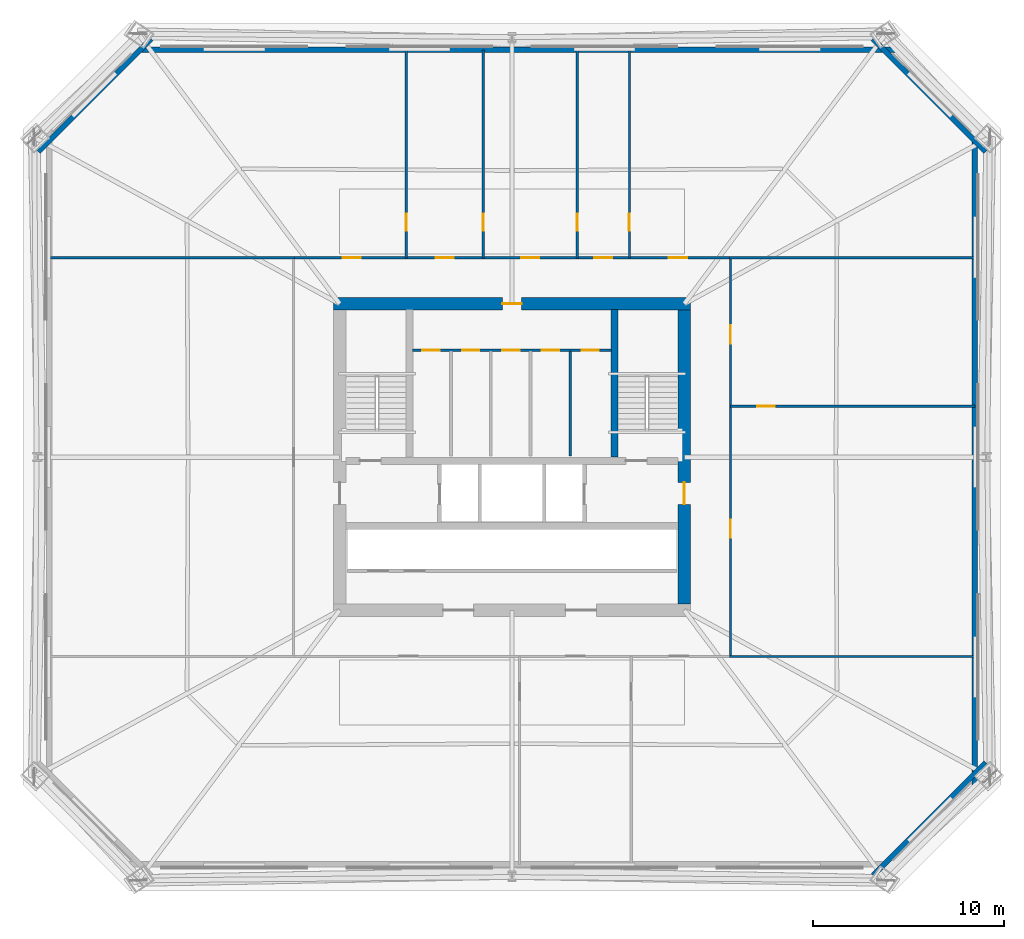
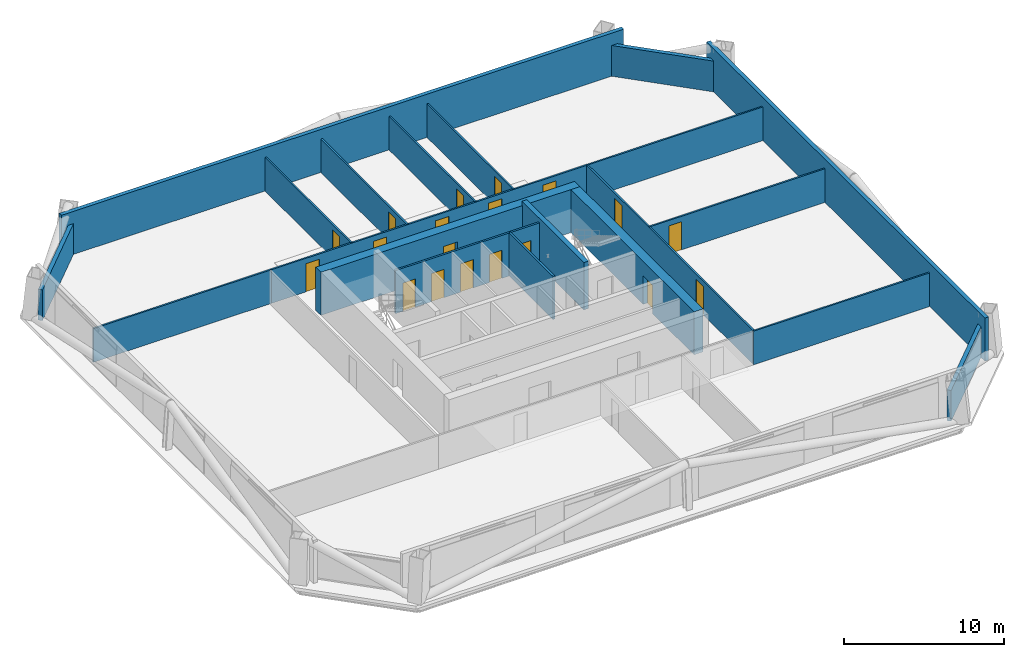
# One storey, part 5 of 9: 20 walls, 19 doors, 19 openings.
"""IFC4 building model written with IfcOpenShell, lengths in metres."""

from ifc_helpers import new_model, si_unit, direction, frame, frame_2d, origin, place, context, subcontext, project, spatial, rectangle, extrude, material, layer, layer_set, type_object, element, fill, save


model = new_model("IFC4")

# Units and contexts
model_context = context("Model", 3, precision=1e-05, world=origin(), true_north=direction((0.0, 1.0)))
body_context = subcontext(model_context, "Body", "Model", "MODEL_VIEW")
ifc_project = project(units=[si_unit("LENGTHUNIT", "METRE"), si_unit("AREAUNIT", "SQUARE_METRE"), si_unit("VOLUMEUNIT", "CUBIC_METRE"), si_unit("PLANEANGLEUNIT", "RADIAN"), si_unit("MASSUNIT", "GRAM", prefix="KILO")], contexts=[model_context])

# Site, building, storey
site_placement = place(None, origin())
site = spatial("IfcSite", under=ifc_project, at=site_placement, CompositionType="ELEMENT")
building_placement = place(site_placement, origin())
building = spatial("IfcBuilding", under=site, at=building_placement, Name="Caelvoria Tower", CompositionType="ELEMENT")
storey_placement = place(building_placement, frame((0.0, 0.0, 82.0)))
storey = spatial("IfcBuildingStorey", under=building, at=storey_placement, Name="L21", CompositionType="ELEMENT", Elevation=82.0)

# Walls
ifc_material_1 = material(Name="Concrete C50/60", Category="concrete")
ifc_layer_1 = layer(ifc_material_1, 0.35009765625, Name="Concrete C50/60")
ifc_layer_set_1 = layer_set([ifc_layer_1], Name="Core Internal Shear Wall 350 - Concrete C50/60")
wall_type_1 = type_object("IfcWallType", Name="Core Internal Shear Wall 350", PredefinedType="SHEAR", material=ifc_layer_set_1)
wall_1_placement = place(storey_placement, frame((51.35009765625, 32.0, 0.0), z_axis=(0.0, 0.0, 1.0), x_axis=(0.0, 1.0, 0.0)))
element("IfcWall", 1, at=wall_1_placement, inside=storey, type_object=wall_type_1, Name="Interior Partition IW-L21-ST2W", PredefinedType="SHEAR", context=body_context, shape_type="SweptSolid", body=[
    extrude(rectangle(XDim=7.699951171875, YDim=0.35009765625, at=frame_2d((3.85009765625, 0.0))), origin(), (0.0, 0.0, 1.0), 3.60009765625),
])
ifc_material_2 = material(Name="Moisture-Resistant Gypsum on Steel Stud", Category="steel")
ifc_layer_2 = layer(ifc_material_2, 0.139892578125, Name="Moisture-Resistant Gypsum on Steel Stud")
ifc_layer_set_2 = layer_set([ifc_layer_2], Name="Core Sanitary Acoustic Partition Wall 140 - Moisture-Resistant Gypsum on Steel Stud")
wall_type_2 = type_object("IfcWallType", Name="Core Sanitary Acoustic Partition Wall 140", PredefinedType="PARTITIONING", material=ifc_layer_set_2)
wall_2_placement = place(storey_placement, frame((49.050048828125, 32.050048828125, 0.0), z_axis=(0.0, 0.0, 1.0), x_axis=(0.0, 1.0, 0.0)))
element("IfcWall", 2, at=wall_2_placement, inside=storey, type_object=wall_type_2, Name="Interior Partition IW-L21-C1V3", PredefinedType="PARTITIONING", context=body_context, shape_type="SweptSolid", body=[
    extrude(rectangle(XDim=5.5, YDim=0.139892578125, at=frame_2d((2.75, 0.0))), origin(), (0.0, 0.0, 1.0), 3.280029296875),
])

# Wall, openings, doors
wall_3_placement = place(storey_placement, frame((40.800048828125, 37.580078125, 0.0), z_axis=(0.0, 0.0, 1.0), x_axis=(1.0, 0.0, 0.0)))
wall_3 = element("IfcWall", 3, at=wall_3_placement, inside=storey, type_object=wall_type_2, Name="Interior Partition IW-L21-C1H", PredefinedType="PARTITIONING", context=body_context, shape_type="SweptSolid", body=[
    extrude(rectangle(XDim=10.39990234375, YDim=0.139892578125, at=frame_2d((5.199951171875, 0.0))), origin(), (0.0, 0.0, 1.0), 3.280029296875),
])
opening_1_placement = place(wall_3_placement, frame((0.52001953125, 0.0, 0.0)))
opening_1 = element("IfcOpeningElement", 4, at=opening_1_placement, cuts=wall_3, Name="Opening ID-06", PredefinedType="OPENING", context=body_context, shape_type="SweptSolid", body=[
    extrude(rectangle(XDim=0.89990234375, YDim=2.14990234375, at=frame_2d((0.449951171875, 1.074951171875))), frame((0.0, 0.079833984375, 0.0), z_axis=(0.0, -1.0, 0.0), x_axis=(1.0, 0.0, 0.0)), (0.0, 0.0, 1.0), 0.159912109375),
])
opening_2_placement = place(wall_3_placement, frame((2.60009765625, 0.0, 0.0)))
opening_2 = element("IfcOpeningElement", 5, at=opening_2_placement, cuts=wall_3, Name="Opening ID-06", PredefinedType="OPENING", context=body_context, shape_type="SweptSolid", body=[
    extrude(rectangle(XDim=0.89990234375, YDim=2.14990234375, at=frame_2d((0.449951171875, 1.074951171875))), frame((0.0, 0.079833984375, 0.0), z_axis=(0.0, -1.0, 0.0), x_axis=(1.0, 0.0, 0.0)), (0.0, 0.0, 1.0), 0.159912109375),
])
opening_3_placement = place(wall_3_placement, frame((4.679931640625, 0.0, 0.0)))
opening_3 = element("IfcOpeningElement", 6, at=opening_3_placement, cuts=wall_3, Name="Opening ID-07", PredefinedType="OPENING", context=body_context, shape_type="SweptSolid", body=[
    extrude(rectangle(XDim=0.919921875, YDim=2.14990234375, at=frame_2d((0.4599609375, 1.074951171875))), frame((0.0, 0.079833984375, 0.0), z_axis=(0.0, -1.0, 0.0), x_axis=(1.0, 0.0, 0.0)), (0.0, 0.0, 1.0), 0.159912109375),
])
opening_4_placement = place(wall_3_placement, frame((6.760009765625, 0.0, 0.0)))
opening_4 = element("IfcOpeningElement", 7, at=opening_4_placement, cuts=wall_3, Name="Opening ID-06", PredefinedType="OPENING", context=body_context, shape_type="SweptSolid", body=[
    extrude(rectangle(XDim=0.89990234375, YDim=2.14990234375, at=frame_2d((0.449951171875, 1.074951171875))), frame((0.0, 0.079833984375, 0.0), z_axis=(0.0, -1.0, 0.0), x_axis=(1.0, 0.0, 0.0)), (0.0, 0.0, 1.0), 0.159912109375),
])
opening_5_placement = place(wall_3_placement, frame((8.840087890625, 0.0, 0.0)))
opening_5 = element("IfcOpeningElement", 8, at=opening_5_placement, cuts=wall_3, Name="Opening ID-06", PredefinedType="OPENING", context=body_context, shape_type="SweptSolid", body=[
    extrude(rectangle(XDim=0.89990234375, YDim=2.14990234375, at=frame_2d((0.449951171875, 1.074951171875))), frame((0.0, 0.079833984375, 0.0), z_axis=(0.0, -1.0, 0.0), x_axis=(1.0, 0.0, 0.0)), (0.0, 0.0, 1.0), 0.159912109375),
])
ifc_material_3 = material(Name="Engineered Andean Oak Accessible Door", Category="wood")
door_type_1 = type_object("IfcDoorType", Name="Accessible WC Door 950x2150", OperationType="NOTDEFINED", PredefinedType="DOOR", material=ifc_material_3)
door_1_placement = place(opening_3_placement, origin())
door_1 = element("IfcDoor", 9, at=door_1_placement, inside=storey, type_object=door_type_1, Name="Interior Door DR-L21-C1-3", OperationType="SINGLE_SWING_LEFT", OverallHeight=2.14990234375, OverallWidth=0.919921875, PredefinedType="DOOR", context=body_context, shape_type="SweptSolid", body=[
    extrude(rectangle(XDim=0.919921875, YDim=2.14990234375, at=frame_2d((0.4599609375, 1.074951171875))), frame((0.0, 0.02490234375, 0.0), z_axis=(0.0, -1.0, 0.0), x_axis=(1.0, 0.0, 0.0)), (0.0, 0.0, 1.0), 0.050048828125),
])
fill(opening_3, door_1)
ifc_material_4 = material(Name="Engineered Andean Oak Veneer Door", Category="wood")
door_type_2 = type_object("IfcDoorType", Name="Interior Timber Door 900x2150", OperationType="NOTDEFINED", PredefinedType="DOOR", material=ifc_material_4)
door_2_placement = place(opening_1_placement, origin())
door_2 = element("IfcDoor", 10, at=door_2_placement, inside=storey, type_object=door_type_2, Name="Interior Door DR-L21-C1-1", OperationType="SINGLE_SWING_LEFT", OverallHeight=2.14990234375, OverallWidth=0.89990234375, PredefinedType="DOOR", context=body_context, shape_type="SweptSolid", body=[
    extrude(rectangle(XDim=0.89990234375, YDim=2.14990234375, at=frame_2d((0.449951171875, 1.074951171875))), frame((0.0, 0.02490234375, 0.0), z_axis=(0.0, -1.0, 0.0), x_axis=(1.0, 0.0, 0.0)), (0.0, 0.0, 1.0), 0.050048828125),
])
fill(opening_1, door_2)
door_3_placement = place(opening_2_placement, origin())
door_3 = element("IfcDoor", 11, at=door_3_placement, inside=storey, type_object=door_type_2, Name="Interior Door DR-L21-C1-2", OperationType="SINGLE_SWING_RIGHT", OverallHeight=2.14990234375, OverallWidth=0.89990234375, PredefinedType="DOOR", context=body_context, shape_type="SweptSolid", body=[
    extrude(rectangle(XDim=0.89990234375, YDim=2.14990234375, at=frame_2d((0.449951171875, 1.074951171875))), frame((0.0, 0.02490234375, 0.0), z_axis=(0.0, -1.0, 0.0), x_axis=(1.0, 0.0, 0.0)), (0.0, 0.0, 1.0), 0.050048828125),
])
fill(opening_2, door_3)
door_4_placement = place(opening_4_placement, origin())
door_4 = element("IfcDoor", 12, at=door_4_placement, inside=storey, type_object=door_type_2, Name="Interior Door DR-L21-C1-4", OperationType="SINGLE_SWING_RIGHT", OverallHeight=2.14990234375, OverallWidth=0.89990234375, PredefinedType="DOOR", context=body_context, shape_type="SweptSolid", body=[
    extrude(rectangle(XDim=0.89990234375, YDim=2.14990234375, at=frame_2d((0.449951171875, 1.074951171875))), frame((0.0, 0.02490234375, 0.0), z_axis=(0.0, -1.0, 0.0), x_axis=(1.0, 0.0, 0.0)), (0.0, 0.0, 1.0), 0.050048828125),
])
fill(opening_4, door_4)
door_5_placement = place(opening_5_placement, origin())
door_5 = element("IfcDoor", 13, at=door_5_placement, inside=storey, type_object=door_type_2, Name="Interior Door DR-L21-C1-5", OperationType="SINGLE_SWING_LEFT", OverallHeight=2.14990234375, OverallWidth=0.89990234375, PredefinedType="DOOR", context=body_context, shape_type="SweptSolid", body=[
    extrude(rectangle(XDim=0.89990234375, YDim=2.14990234375, at=frame_2d((0.449951171875, 1.074951171875))), frame((0.0, 0.02490234375, 0.0), z_axis=(0.0, -1.0, 0.0), x_axis=(1.0, 0.0, 0.0)), (0.0, 0.0, 1.0), 0.050048828125),
])
fill(opening_5, door_5)

# Walls
ifc_material_5 = material(Name="Precast Concrete C40/50 with Bronze Cladding", Category="concrete")
ifc_layer_3 = layer(ifc_material_5, 0.280029296875, Name="Precast Concrete C40/50 with Bronze Cladding")
ifc_layer_set_3 = layer_set([ifc_layer_3], Name="Exterior Precast Concrete C40/50 Bronze-Clad Facade Wall 280 - Precast Concrete C40/50 with Bronze Cladding")
wall_type_3 = type_object("IfcWallType", Name="Exterior Precast Concrete C40/50 Bronze-Clad Facade Wall 280", PredefinedType="STANDARD", material=ifc_layer_set_3)
wall_4_placement = place(storey_placement, frame((64.8544921875, 10.156005859375, 0.0), z_axis=(0.0, 0.0, 1.0), x_axis=(0.707106781187, 0.707106781187, 0.0)))
element("IfcWall", 14, at=wall_4_placement, inside=storey, type_object=wall_type_3, Name="Exterior Facade Wall L21-E1", PredefinedType="STANDARD", context=body_context, shape_type="SweptSolid", body=[
    extrude(rectangle(XDim=8.328857421875, YDim=0.280029296875, at=frame_2d((4.16455078125, 0.0))), origin(), (0.0, 0.0, 1.0), 2.343017578125),
])
wall_5_placement = place(storey_placement, frame((70.169921875, 14.659912109375, 0.0), z_axis=(0.0, 0.0, 1.0), x_axis=(0.0, 1.0, 0.0)))
element("IfcWall", 15, at=wall_5_placement, inside=storey, type_object=wall_type_3, Name="Exterior Facade Wall L21-E2", PredefinedType="STANDARD", context=body_context, shape_type="SweptSolid", body=[
    extrude(rectangle(XDim=34.68017578125, YDim=0.280029296875, at=frame_2d((17.340087890625, 0.0))), origin(), (0.0, 0.0, 1.0), 3.280029296875),
])
wall_6_placement = place(storey_placement, frame((70.743896484375, 47.95458984375, 0.0), z_axis=(0.0, 0.0, 1.0), x_axis=(-0.707106781187, 0.707106781187, 0.0)))
element("IfcWall", 16, at=wall_6_placement, inside=storey, type_object=wall_type_3, Name="Exterior Facade Wall L21-E3", PredefinedType="STANDARD", context=body_context, shape_type="SweptSolid", body=[
    extrude(rectangle(XDim=8.328857421875, YDim=0.280029296875, at=frame_2d((4.16455078125, 0.0))), origin(), (0.0, 0.0, 1.0), 2.343017578125),
])
wall_7_placement = place(storey_placement, frame((66.239990234375, 53.27001953125, 0.0), z_axis=(0.0, 0.0, 1.0), x_axis=(-1.0, 0.0, 0.0)))
element("IfcWall", 17, at=wall_7_placement, inside=storey, type_object=wall_type_3, Name="Exterior Facade Wall L21-E4", PredefinedType="STANDARD", context=body_context, shape_type="SweptSolid", body=[
    extrude(rectangle(XDim=40.47998046875, YDim=0.280029296875, at=frame_2d((20.239990234375, 0.0))), origin(), (0.0, 0.0, 1.0), 3.280029296875),
])
wall_8_placement = place(storey_placement, frame((27.1455078125, 53.843994140625, 0.0), z_axis=(0.0, 0.0, 1.0), x_axis=(-0.707106781187, -0.707106781187, 0.0)))
element("IfcWall", 18, at=wall_8_placement, inside=storey, type_object=wall_type_3, Name="Exterior Facade Wall L21-E5", PredefinedType="STANDARD", context=body_context, shape_type="SweptSolid", body=[
    extrude(rectangle(XDim=8.328857421875, YDim=0.280029296875, at=frame_2d((4.16455078125, 0.0))), origin(), (0.0, 0.0, 1.0), 2.343017578125),
])

# Wall, opening, door
ifc_material_6 = material(Name="Concrete C60/75", Category="concrete")
ifc_layer_4 = layer(ifc_material_6, 0.64990234375, Name="Concrete C60/75")
ifc_layer_set_4 = layer_set([ifc_layer_4], Name="Lower Core Shear Wall 650 - Concrete C60/75")
wall_type_4 = type_object("IfcWallType", Name="Lower Core Shear Wall 650", PredefinedType="SHEAR", material=ifc_layer_set_4)
wall_9_placement = place(storey_placement, frame((36.675048828125, 40.0, 0.0), z_axis=(0.0, 0.0, 1.0), x_axis=(1.0, 0.0, 0.0)))
wall_9 = element("IfcWall", 19, at=wall_9_placement, inside=storey, type_object=wall_type_4, Name="Core Shear Wall L21 N", PredefinedType="SHEAR", context=body_context, shape_type="SweptSolid", body=[
    extrude(rectangle(XDim=18.64990234375, YDim=0.64990234375, at=frame_2d((9.324951171875, 0.0))), origin(), (0.0, 0.0, 1.0), 3.280029296875),
])
opening_6_placement = place(wall_9_placement, frame((8.824951171875, 0.0, 0.0)))
opening_6 = element("IfcOpeningElement", 20, at=opening_6_placement, cuts=wall_9, Name="Opening ID-03", PredefinedType="OPENING", context=body_context, shape_type="SweptSolid", body=[
    extrude(rectangle(XDim=1.0, YDim=2.14990234375, at=frame_2d((0.5, 1.074951171875))), frame((0.0, 0.3349609375, 0.0), z_axis=(0.0, -1.0, 0.0), x_axis=(1.0, 0.0, 0.0)), (0.0, 0.0, 1.0), 0.669921875),
])
ifc_material_7 = material(Name="Painted Hollow Steel Fire Door", Category="steel")
door_type_3 = type_object("IfcDoorType", Name="Fire Door FD60S 1000x2150", OperationType="NOTDEFINED", PredefinedType="DOOR", material=ifc_material_7)
door_6_placement = place(opening_6_placement, origin())
door_6 = element("IfcDoor", 21, at=door_6_placement, inside=storey, type_object=door_type_3, Name="Core Door DR-L21-WC-MAIN", OperationType="SINGLE_SWING_RIGHT", OverallHeight=2.14990234375, OverallWidth=1.0, PredefinedType="DOOR", context=body_context, shape_type="SweptSolid", body=[
    extrude(rectangle(XDim=1.0, YDim=2.14990234375, at=frame_2d((0.5, 1.074951171875))), frame((0.0, 0.02490234375, 0.0), z_axis=(0.0, -1.0, 0.0), x_axis=(1.0, 0.0, 0.0)), (0.0, 0.0, 1.0), 0.050048828125),
])
fill(opening_6, door_6)

wall_10_placement = place(storey_placement, frame((55.0, 24.324951171875, 0.0), z_axis=(0.0, 0.0, 1.0), x_axis=(0.0, 1.0, 0.0)))
wall_10 = element("IfcWall", 22, at=wall_10_placement, inside=storey, type_object=wall_type_4, Name="Core Shear Wall L21 E", PredefinedType="SHEAR", context=body_context, shape_type="SweptSolid", body=[
    extrude(rectangle(XDim=15.35009765625, YDim=0.64990234375, at=frame_2d((7.675048828125, 0.0))), origin(), (0.0, 0.0, 1.0), 3.280029296875),
])
opening_7_placement = place(wall_10_placement, frame((5.199951171875, 0.0, 0.0)))
opening_7 = element("IfcOpeningElement", 23, at=opening_7_placement, cuts=wall_10, Name="Opening ID-02", PredefinedType="OPENING", context=body_context, shape_type="SweptSolid", body=[
    extrude(rectangle(XDim=1.14990234375, YDim=2.14990234375, at=frame_2d((0.574951171875, 1.074951171875))), frame((0.0, 0.3349609375, 0.0), z_axis=(0.0, -1.0, 0.0), x_axis=(1.0, 0.0, 0.0)), (0.0, 0.0, 1.0), 0.669921875),
])
door_type_4 = type_object("IfcDoorType", Name="Fire Door FD60S 1150x2150", OperationType="NOTDEFINED", PredefinedType="DOOR", material=ifc_material_7)
door_7_placement = place(opening_7_placement, origin())
door_7 = element("IfcDoor", 24, at=door_7_placement, inside=storey, type_object=door_type_4, Name="Core Door DR-L21-FFLE-OUT", OperationType="SINGLE_SWING_RIGHT", OverallHeight=2.14990234375, OverallWidth=1.14990234375, PredefinedType="DOOR", context=body_context, shape_type="SweptSolid", body=[
    extrude(rectangle(XDim=1.14990234375, YDim=2.14990234375, at=frame_2d((0.574951171875, 1.074951171875))), frame((0.0, 0.02490234375, 0.0), z_axis=(0.0, -1.0, 0.0), x_axis=(1.0, 0.0, 0.0)), (0.0, 0.0, 1.0), 0.050048828125),
])
fill(opening_7, door_7)

ifc_material_8 = material(Name="Acoustic Gypsum Board on Light-Gauge Stud", Category="gypsum")
ifc_layer_5 = layer(ifc_material_8, 0.1201171875, Name="Acoustic Gypsum Board on Light-Gauge Stud")
ifc_layer_set_5 = layer_set([ifc_layer_5], Name="Tenant Suite Acoustic Partition Wall 120 - Acoustic Gypsum Board on Light-Gauge Stud")
wall_type_5 = type_object("IfcWallType", Name="Tenant Suite Acoustic Partition Wall 120", PredefinedType="PARTITIONING", material=ifc_layer_set_5)
wall_11_placement = place(storey_placement, frame((40.470703125, 42.409912109375, 0.0), z_axis=(0.0, 0.0, 1.0), x_axis=(0.0, 1.0, 0.0)))
wall_11 = element("IfcWall", 25, at=wall_11_placement, inside=storey, type_object=wall_type_5, Name="Interior Partition IW-L21-ND-00-0", PredefinedType="PARTITIONING", context=body_context, shape_type="SweptSolid", body=[
    extrude(rectangle(XDim=10.860107421875, YDim=0.1201171875, at=frame_2d((5.43017578125, 0.0))), origin(), (0.0, 0.0, 1.0), 2.56005859375),
])
opening_8_placement = place(wall_11_placement, frame((1.39990234375, 0.0, 0.0)))
opening_8 = element("IfcOpeningElement", 26, at=opening_8_placement, cuts=wall_11, Name="Opening ID-06", PredefinedType="OPENING", context=body_context, shape_type="SweptSolid", body=[
    extrude(rectangle(XDim=0.89990234375, YDim=2.14990234375, at=frame_2d((0.449951171875, 1.074951171875))), frame((0.0, 0.070068359375, 0.0), z_axis=(0.0, -1.0, 0.0), x_axis=(1.0, 0.0, 0.0)), (0.0, 0.0, 1.0), 0.14013671875),
])
door_8_placement = place(opening_8_placement, origin())
door_8 = element("IfcDoor", 27, at=door_8_placement, inside=storey, type_object=door_type_2, Name="Interior Door DR-L21-NM-00-0", OperationType="SINGLE_SWING_RIGHT", OverallHeight=2.14990234375, OverallWidth=0.89990234375, PredefinedType="DOOR", context=body_context, shape_type="SweptSolid", body=[
    extrude(rectangle(XDim=0.89990234375, YDim=2.14990234375, at=frame_2d((0.449951171875, 1.074951171875))), frame((0.0, 0.02490234375, 0.0), z_axis=(0.0, -1.0, 0.0), x_axis=(1.0, 0.0, 0.0)), (0.0, 0.0, 1.0), 0.050048828125),
])
fill(opening_8, door_8)

wall_12_placement = place(storey_placement, frame((44.492919921875, 42.409912109375, 0.0), z_axis=(0.0, 0.0, 1.0), x_axis=(0.0, 1.0, 0.0)))
wall_12 = element("IfcWall", 28, at=wall_12_placement, inside=storey, type_object=wall_type_5, Name="Interior Partition IW-L21-ND-01-0", PredefinedType="PARTITIONING", context=body_context, shape_type="SweptSolid", body=[
    extrude(rectangle(XDim=10.860107421875, YDim=0.1201171875, at=frame_2d((5.43017578125, 0.0))), origin(), (0.0, 0.0, 1.0), 2.56005859375),
])
opening_9_placement = place(wall_12_placement, frame((1.39990234375, 0.0, 0.0)))
opening_9 = element("IfcOpeningElement", 29, at=opening_9_placement, cuts=wall_12, Name="Opening ID-06", PredefinedType="OPENING", context=body_context, shape_type="SweptSolid", body=[
    extrude(rectangle(XDim=0.89990234375, YDim=2.14990234375, at=frame_2d((0.449951171875, 1.074951171875))), frame((0.0, 0.070068359375, 0.0), z_axis=(0.0, -1.0, 0.0), x_axis=(1.0, 0.0, 0.0)), (0.0, 0.0, 1.0), 0.14013671875),
])
door_9_placement = place(opening_9_placement, origin())
door_9 = element("IfcDoor", 30, at=door_9_placement, inside=storey, type_object=door_type_2, Name="Interior Door DR-L21-NM-01-0", OperationType="SINGLE_SWING_LEFT", OverallHeight=2.14990234375, OverallWidth=0.89990234375, PredefinedType="DOOR", context=body_context, shape_type="SweptSolid", body=[
    extrude(rectangle(XDim=0.89990234375, YDim=2.14990234375, at=frame_2d((0.449951171875, 1.074951171875))), frame((0.0, 0.02490234375, 0.0), z_axis=(0.0, -1.0, 0.0), x_axis=(1.0, 0.0, 0.0)), (0.0, 0.0, 1.0), 0.050048828125),
])
fill(opening_9, door_9)

wall_13_placement = place(storey_placement, frame((49.40087890625, 42.409912109375, 0.0), z_axis=(0.0, 0.0, 1.0), x_axis=(0.0, 1.0, 0.0)))
wall_13 = element("IfcWall", 31, at=wall_13_placement, inside=storey, type_object=wall_type_5, Name="Interior Partition IW-L21-ND-02-0", PredefinedType="PARTITIONING", context=body_context, shape_type="SweptSolid", body=[
    extrude(rectangle(XDim=10.860107421875, YDim=0.1201171875, at=frame_2d((5.43017578125, 0.0))), origin(), (0.0, 0.0, 1.0), 2.56005859375),
])
opening_10_placement = place(wall_13_placement, frame((1.39990234375, 0.0, 0.0)))
opening_10 = element("IfcOpeningElement", 32, at=opening_10_placement, cuts=wall_13, Name="Opening ID-06", PredefinedType="OPENING", context=body_context, shape_type="SweptSolid", body=[
    extrude(rectangle(XDim=0.89990234375, YDim=2.14990234375, at=frame_2d((0.449951171875, 1.074951171875))), frame((0.0, 0.070068359375, 0.0), z_axis=(0.0, -1.0, 0.0), x_axis=(1.0, 0.0, 0.0)), (0.0, 0.0, 1.0), 0.14013671875),
])
door_10_placement = place(opening_10_placement, origin())
door_10 = element("IfcDoor", 33, at=door_10_placement, inside=storey, type_object=door_type_2, Name="Interior Door DR-L21-NM-02-0", OperationType="SINGLE_SWING_RIGHT", OverallHeight=2.14990234375, OverallWidth=0.89990234375, PredefinedType="DOOR", context=body_context, shape_type="SweptSolid", body=[
    extrude(rectangle(XDim=0.89990234375, YDim=2.14990234375, at=frame_2d((0.449951171875, 1.074951171875))), frame((0.0, 0.02490234375, 0.0), z_axis=(0.0, -1.0, 0.0), x_axis=(1.0, 0.0, 0.0)), (0.0, 0.0, 1.0), 0.050048828125),
])
fill(opening_10, door_10)

wall_14_placement = place(storey_placement, frame((52.1318359375, 42.409912109375, 0.0), z_axis=(0.0, 0.0, 1.0), x_axis=(0.0, 1.0, 0.0)))
wall_14 = element("IfcWall", 34, at=wall_14_placement, inside=storey, type_object=wall_type_5, Name="Interior Partition IW-L21-ND-03-0", PredefinedType="PARTITIONING", context=body_context, shape_type="SweptSolid", body=[
    extrude(rectangle(XDim=10.860107421875, YDim=0.1201171875, at=frame_2d((5.43017578125, 0.0))), origin(), (0.0, 0.0, 1.0), 2.56005859375),
])
opening_11_placement = place(wall_14_placement, frame((1.39990234375, 0.0, 0.0)))
opening_11 = element("IfcOpeningElement", 35, at=opening_11_placement, cuts=wall_14, Name="Opening ID-06", PredefinedType="OPENING", context=body_context, shape_type="SweptSolid", body=[
    extrude(rectangle(XDim=0.89990234375, YDim=2.14990234375, at=frame_2d((0.449951171875, 1.074951171875))), frame((0.0, 0.070068359375, 0.0), z_axis=(0.0, -1.0, 0.0), x_axis=(1.0, 0.0, 0.0)), (0.0, 0.0, 1.0), 0.14013671875),
])
door_11_placement = place(opening_11_placement, origin())
door_11 = element("IfcDoor", 36, at=door_11_placement, inside=storey, type_object=door_type_2, Name="Interior Door DR-L21-NM-03-0", OperationType="SINGLE_SWING_LEFT", OverallHeight=2.14990234375, OverallWidth=0.89990234375, PredefinedType="DOOR", context=body_context, shape_type="SweptSolid", body=[
    extrude(rectangle(XDim=0.89990234375, YDim=2.14990234375, at=frame_2d((0.449951171875, 1.074951171875))), frame((0.0, 0.02490234375, 0.0), z_axis=(0.0, -1.0, 0.0), x_axis=(1.0, 0.0, 0.0)), (0.0, 0.0, 1.0), 0.050048828125),
])
fill(opening_11, door_11)

# Wall, openings, doors
wall_15_placement = place(storey_placement, frame((34.64990234375, 42.409912109375, 0.0), z_axis=(0.0, 0.0, 1.0), x_axis=(1.0, 0.0, 0.0)))
wall_15 = element("IfcWall", 37, at=wall_15_placement, inside=storey, type_object=wall_type_5, Name="Interior Partition IW-L21-NCW-0", PredefinedType="PARTITIONING", context=body_context, shape_type="SweptSolid", body=[
    extrude(rectangle(XDim=22.7001953125, YDim=0.1201171875, at=frame_2d((11.35009765625, 0.0))), origin(), (0.0, 0.0, 1.0), 2.56005859375),
])
opening_12_placement = place(wall_15_placement, frame((2.50537109375, 0.0, 0.0)))
opening_12 = element("IfcOpeningElement", 38, at=opening_12_placement, cuts=wall_15, Name="Opening ID-05", PredefinedType="OPENING", context=body_context, shape_type="SweptSolid", body=[
    extrude(rectangle(XDim=0.949951171875, YDim=2.14990234375, at=frame_2d((0.47509765625, 1.074951171875))), frame((0.0, 0.070068359375, 0.0), z_axis=(0.0, -1.0, 0.0), x_axis=(1.0, 0.0, 0.0)), (0.0, 0.0, 1.0), 0.14013671875),
])
opening_13_placement = place(wall_15_placement, frame((7.356689453125, 0.0, 0.0)))
opening_13 = element("IfcOpeningElement", 39, at=opening_13_placement, cuts=wall_15, Name="Opening ID-05", PredefinedType="OPENING", context=body_context, shape_type="SweptSolid", body=[
    extrude(rectangle(XDim=0.949951171875, YDim=2.14990234375, at=frame_2d((0.47509765625, 1.074951171875))), frame((0.0, 0.070068359375, 0.0), z_axis=(0.0, -1.0, 0.0), x_axis=(1.0, 0.0, 0.0)), (0.0, 0.0, 1.0), 0.14013671875),
])
opening_14_placement = place(wall_15_placement, frame((11.822021484375, 0.0, 0.0)))
opening_14 = element("IfcOpeningElement", 40, at=opening_14_placement, cuts=wall_15, Name="Opening ID-05", PredefinedType="OPENING", context=body_context, shape_type="SweptSolid", body=[
    extrude(rectangle(XDim=0.949951171875, YDim=2.14990234375, at=frame_2d((0.47509765625, 1.074951171875))), frame((0.0, 0.070068359375, 0.0), z_axis=(0.0, -1.0, 0.0), x_axis=(1.0, 0.0, 0.0)), (0.0, 0.0, 1.0), 0.14013671875),
])
opening_15_placement = place(wall_15_placement, frame((15.641357421875, 0.0, 0.0)))
opening_15 = element("IfcOpeningElement", 41, at=opening_15_placement, cuts=wall_15, Name="Opening ID-05", PredefinedType="OPENING", context=body_context, shape_type="SweptSolid", body=[
    extrude(rectangle(XDim=0.949951171875, YDim=2.14990234375, at=frame_2d((0.47509765625, 1.074951171875))), frame((0.0, 0.070068359375, 0.0), z_axis=(0.0, -1.0, 0.0), x_axis=(1.0, 0.0, 0.0)), (0.0, 0.0, 1.0), 0.14013671875),
])
opening_16_placement = place(wall_15_placement, frame((19.5458984375, 0.0, 0.0)))
opening_16 = element("IfcOpeningElement", 42, at=opening_16_placement, cuts=wall_15, Name="Opening ID-05", PredefinedType="OPENING", context=body_context, shape_type="SweptSolid", body=[
    extrude(rectangle(XDim=0.949951171875, YDim=2.14990234375, at=frame_2d((0.47509765625, 1.074951171875))), frame((0.0, 0.070068359375, 0.0), z_axis=(0.0, -1.0, 0.0), x_axis=(1.0, 0.0, 0.0)), (0.0, 0.0, 1.0), 0.14013671875),
])
door_type_5 = type_object("IfcDoorType", Name="Interior Timber Door 950x2150", OperationType="NOTDEFINED", PredefinedType="DOOR", material=ifc_material_4)
door_12_placement = place(opening_12_placement, origin())
door_12 = element("IfcDoor", 43, at=door_12_placement, inside=storey, type_object=door_type_5, Name="Interior Door DR-L21-NC-00-0", OperationType="SINGLE_SWING_RIGHT", OverallHeight=2.14990234375, OverallWidth=0.949951171875, PredefinedType="DOOR", context=body_context, shape_type="SweptSolid", body=[
    extrude(rectangle(XDim=0.949951171875, YDim=2.14990234375, at=frame_2d((0.47509765625, 1.074951171875))), frame((0.0, 0.02490234375, 0.0), z_axis=(0.0, -1.0, 0.0), x_axis=(1.0, 0.0, 0.0)), (0.0, 0.0, 1.0), 0.050048828125),
])
fill(opening_12, door_12)
door_13_placement = place(opening_13_placement, origin())
door_13 = element("IfcDoor", 44, at=door_13_placement, inside=storey, type_object=door_type_5, Name="Interior Door DR-L21-NC-01-0", OperationType="SINGLE_SWING_LEFT", OverallHeight=2.14990234375, OverallWidth=0.949951171875, PredefinedType="DOOR", context=body_context, shape_type="SweptSolid", body=[
    extrude(rectangle(XDim=0.949951171875, YDim=2.14990234375, at=frame_2d((0.47509765625, 1.074951171875))), frame((0.0, 0.02490234375, 0.0), z_axis=(0.0, -1.0, 0.0), x_axis=(1.0, 0.0, 0.0)), (0.0, 0.0, 1.0), 0.050048828125),
])
fill(opening_13, door_13)
door_14_placement = place(opening_14_placement, origin())
door_14 = element("IfcDoor", 45, at=door_14_placement, inside=storey, type_object=door_type_5, Name="Interior Door DR-L21-NC-02-0", OperationType="SINGLE_SWING_RIGHT", OverallHeight=2.14990234375, OverallWidth=0.949951171875, PredefinedType="DOOR", context=body_context, shape_type="SweptSolid", body=[
    extrude(rectangle(XDim=0.949951171875, YDim=2.14990234375, at=frame_2d((0.47509765625, 1.074951171875))), frame((0.0, 0.02490234375, 0.0), z_axis=(0.0, -1.0, 0.0), x_axis=(1.0, 0.0, 0.0)), (0.0, 0.0, 1.0), 0.050048828125),
])
fill(opening_14, door_14)
door_15_placement = place(opening_15_placement, origin())
door_15 = element("IfcDoor", 46, at=door_15_placement, inside=storey, type_object=door_type_5, Name="Interior Door DR-L21-NC-03-0", OperationType="SINGLE_SWING_LEFT", OverallHeight=2.14990234375, OverallWidth=0.949951171875, PredefinedType="DOOR", context=body_context, shape_type="SweptSolid", body=[
    extrude(rectangle(XDim=0.949951171875, YDim=2.14990234375, at=frame_2d((0.47509765625, 1.074951171875))), frame((0.0, 0.02490234375, 0.0), z_axis=(0.0, -1.0, 0.0), x_axis=(1.0, 0.0, 0.0)), (0.0, 0.0, 1.0), 0.050048828125),
])
fill(opening_15, door_15)
door_16_placement = place(opening_16_placement, origin())
door_16 = element("IfcDoor", 47, at=door_16_placement, inside=storey, type_object=door_type_5, Name="Interior Door DR-L21-NC-04-0", OperationType="SINGLE_SWING_RIGHT", OverallHeight=2.14990234375, OverallWidth=0.949951171875, PredefinedType="DOOR", context=body_context, shape_type="SweptSolid", body=[
    extrude(rectangle(XDim=0.949951171875, YDim=2.14990234375, at=frame_2d((0.47509765625, 1.074951171875))), frame((0.0, 0.02490234375, 0.0), z_axis=(0.0, -1.0, 0.0), x_axis=(1.0, 0.0, 0.0)), (0.0, 0.0, 1.0), 0.050048828125),
])
fill(opening_16, door_16)

# Wall, opening, door
wall_16_placement = place(storey_placement, frame((57.409912109375, 34.656494140625, 0.0), z_axis=(0.0, 0.0, 1.0), x_axis=(1.0, 0.0, 0.0)))
wall_16 = element("IfcWall", 48, at=wall_16_placement, inside=storey, type_object=wall_type_5, Name="Interior Partition IW-L21-ED-00-0", PredefinedType="PARTITIONING", context=body_context, shape_type="SweptSolid", body=[
    extrude(rectangle(XDim=12.760009765625, YDim=0.1201171875, at=frame_2d((6.3798828125, 0.0))), origin(), (0.0, 0.0, 1.0), 2.56005859375),
])
opening_17_placement = place(wall_16_placement, frame((1.39990234375, 0.0, 0.0)))
opening_17 = element("IfcOpeningElement", 49, at=opening_17_placement, cuts=wall_16, Name="Opening ID-06", PredefinedType="OPENING", context=body_context, shape_type="SweptSolid", body=[
    extrude(rectangle(XDim=0.89990234375, YDim=2.14990234375, at=frame_2d((0.449951171875, 1.074951171875))), frame((0.0, 0.070068359375, 0.0), z_axis=(0.0, -1.0, 0.0), x_axis=(1.0, 0.0, 0.0)), (0.0, 0.0, 1.0), 0.14013671875),
])
door_17_placement = place(opening_17_placement, origin())
door_17 = element("IfcDoor", 50, at=door_17_placement, inside=storey, type_object=door_type_2, Name="Interior Door DR-L21-EM-00-0", OperationType="SINGLE_SWING_RIGHT", OverallHeight=2.14990234375, OverallWidth=0.89990234375, PredefinedType="DOOR", context=body_context, shape_type="SweptSolid", body=[
    extrude(rectangle(XDim=0.89990234375, YDim=2.14990234375, at=frame_2d((0.449951171875, 1.074951171875))), frame((0.0, 0.02490234375, 0.0), z_axis=(0.0, -1.0, 0.0), x_axis=(1.0, 0.0, 0.0)), (0.0, 0.0, 1.0), 0.050048828125),
])
fill(opening_17, door_17)

# Wall, openings, doors
wall_17_placement = place(storey_placement, frame((57.409912109375, 21.64990234375, 0.0), z_axis=(0.0, 0.0, 1.0), x_axis=(0.0, 1.0, 0.0)))
wall_17 = element("IfcWall", 51, at=wall_17_placement, inside=storey, type_object=wall_type_5, Name="Interior Partition IW-L21-ECW-0", PredefinedType="PARTITIONING", context=body_context, shape_type="SweptSolid", body=[
    extrude(rectangle(XDim=20.7001953125, YDim=0.1201171875, at=frame_2d((10.35009765625, 0.0))), origin(), (0.0, 0.0, 1.0), 2.56005859375),
])
opening_18_placement = place(wall_17_placement, frame((6.128173828125, 0.0, 0.0)))
opening_18 = element("IfcOpeningElement", 52, at=opening_18_placement, cuts=wall_17, Name="Opening ID-05", PredefinedType="OPENING", context=body_context, shape_type="SweptSolid", body=[
    extrude(rectangle(XDim=0.949951171875, YDim=2.14990234375, at=frame_2d((0.47509765625, 1.074951171875))), frame((0.0, 0.070068359375, 0.0), z_axis=(0.0, -1.0, 0.0), x_axis=(1.0, 0.0, 0.0)), (0.0, 0.0, 1.0), 0.14013671875),
])
opening_19_placement = place(wall_17_placement, frame((16.2783203125, 0.0, 0.0)))
opening_19 = element("IfcOpeningElement", 53, at=opening_19_placement, cuts=wall_17, Name="Opening ID-05", PredefinedType="OPENING", context=body_context, shape_type="SweptSolid", body=[
    extrude(rectangle(XDim=0.949951171875, YDim=2.14990234375, at=frame_2d((0.47509765625, 1.074951171875))), frame((0.0, 0.070068359375, 0.0), z_axis=(0.0, -1.0, 0.0), x_axis=(1.0, 0.0, 0.0)), (0.0, 0.0, 1.0), 0.14013671875),
])
door_18_placement = place(opening_18_placement, origin())
door_18 = element("IfcDoor", 54, at=door_18_placement, inside=storey, type_object=door_type_5, Name="Interior Door DR-L21-EC-00-0", OperationType="SINGLE_SWING_RIGHT", OverallHeight=2.14990234375, OverallWidth=0.949951171875, PredefinedType="DOOR", context=body_context, shape_type="SweptSolid", body=[
    extrude(rectangle(XDim=0.949951171875, YDim=2.14990234375, at=frame_2d((0.47509765625, 1.074951171875))), frame((0.0, 0.02490234375, 0.0), z_axis=(0.0, -1.0, 0.0), x_axis=(1.0, 0.0, 0.0)), (0.0, 0.0, 1.0), 0.050048828125),
])
fill(opening_18, door_18)
door_19_placement = place(opening_19_placement, origin())
door_19 = element("IfcDoor", 55, at=door_19_placement, inside=storey, type_object=door_type_5, Name="Interior Door DR-L21-EC-01-0", OperationType="SINGLE_SWING_LEFT", OverallHeight=2.14990234375, OverallWidth=0.949951171875, PredefinedType="DOOR", context=body_context, shape_type="SweptSolid", body=[
    extrude(rectangle(XDim=0.949951171875, YDim=2.14990234375, at=frame_2d((0.47509765625, 1.074951171875))), frame((0.0, 0.02490234375, 0.0), z_axis=(0.0, -1.0, 0.0), x_axis=(1.0, 0.0, 0.0)), (0.0, 0.0, 1.0), 0.050048828125),
])
fill(opening_19, door_19)

# Walls
for number, where, z_axis, x_axis, name in (
    (56, (57.35009765625, 21.590087890625, 0.0), (0.0, 0.0, 1.0), (1.0, 0.0, 0.0), "Interior Partition IW-L21-BSE-0"),
    (57, (34.64990234375, 42.409912109375, 0.0), (0.0, 0.0, 1.0), (-1.0, 0.0, 0.0), "Interior Partition IW-L21-BNW-0"),
    (58, (57.35009765625, 42.409912109375, 0.0), (0.0, 0.0, 1.0), (1.0, 0.0, 0.0), "Interior Partition IW-L21-BNE-0"),
):
    element("IfcWall", number, at=place(storey_placement, frame(where, z_axis=z_axis, x_axis=x_axis)), inside=storey, type_object=wall_type_5, Name=name, PredefinedType="PARTITIONING", context=body_context, shape_type="SweptSolid", body=[
        extrude(rectangle(XDim=12.81982421875, YDim=0.1201171875, at=frame_2d((6.409912109375, 0.0))), origin(), (0.0, 0.0, 1.0), 2.56005859375),
    ])

save(model, "model.ifc")
